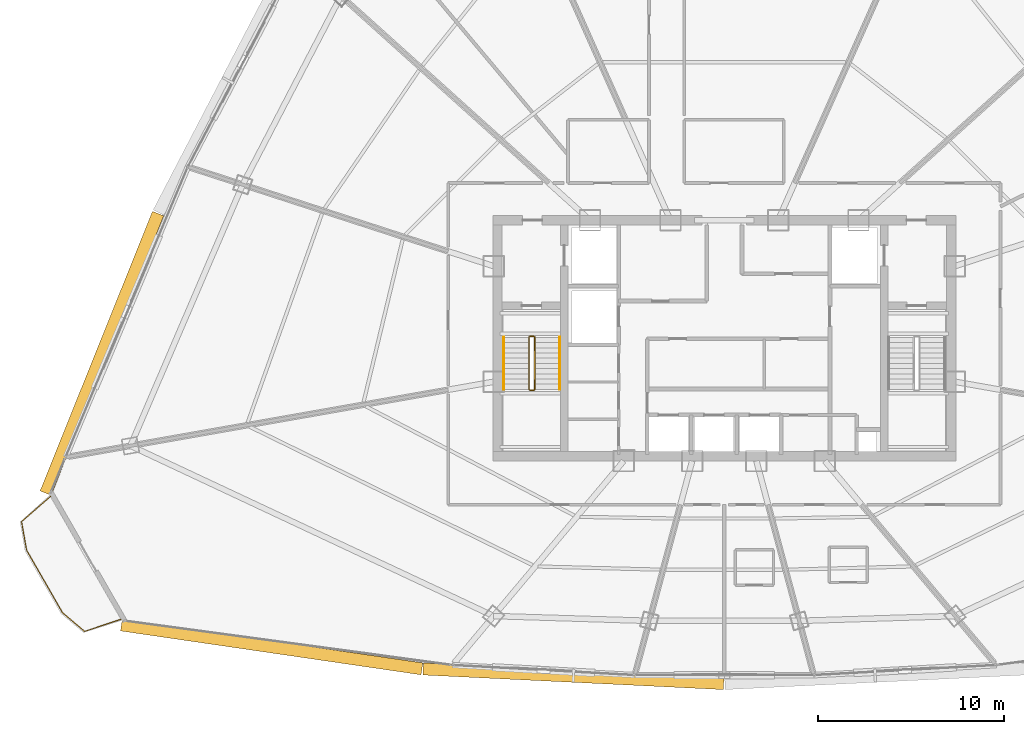
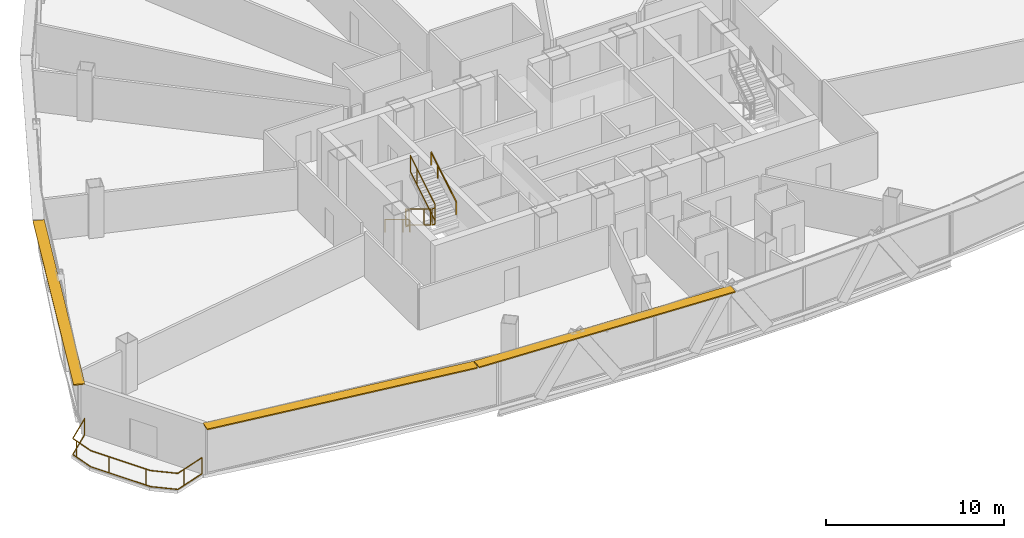
# One storey, part 31 of 34: 7 railings, 3 shading devices.
"""IFC4 building model written with IfcOpenShell, lengths in metres."""

from ifc_helpers import new_model, si_unit, direction, frame, origin, origin_2d, place, context, subcontext, project, spatial, rectangle, extrude, source, transform, mapped, material, layer, layer_set, type_object, element, save


model = new_model("IFC4")

# Units and contexts
model_context = context("Model", 3, precision=1e-05, world=origin(), true_north=direction((0.0, 1.0)))
body_context = subcontext(model_context, "Body", "Model", "MODEL_VIEW")
ifc_project = project(units=[si_unit("LENGTHUNIT", "METRE"), si_unit("AREAUNIT", "SQUARE_METRE"), si_unit("VOLUMEUNIT", "CUBIC_METRE"), si_unit("PLANEANGLEUNIT", "RADIAN"), si_unit("MASSUNIT", "GRAM", prefix="KILO"), si_unit("THERMODYNAMICTEMPERATUREUNIT", "KELVIN"), si_unit("POWERUNIT", "WATT")], contexts=[model_context])

# Site, building, storey
site_placement = place(None, origin())
site = spatial("IfcSite", under=ifc_project, at=site_placement, CompositionType="ELEMENT")
building_placement = place(site_placement, origin())
building = spatial("IfcBuilding", under=site, at=building_placement, Name="Yunzhuo Pagoda Commons", CompositionType="ELEMENT")
storey_placement = place(building_placement, frame((0.0, 0.0, 229.610107421875)))
storey = spatial("IfcBuildingStorey", under=building, at=storey_placement, Name="L57", CompositionType="ELEMENT", Elevation=229.610107421875)

# Railings
ifc_material = material(Name="Anodized aluminium 6063-T6", Category="aluminium")
railing_type_1 = type_object("IfcRailingType", Name="GR-ST1 Stair Well Guardrail 1150", PredefinedType="GUARDRAIL", material=ifc_material)
railing_1_placement = place(storey_placement, frame((37.5, 33.89990234375, 0.16943359375)))
element("IfcRailing", 1, at=railing_1_placement, inside=storey, type_object=railing_type_1, Name="L57 ST1 stair guard 1", PredefinedType="GUARDRAIL", context=body_context, shape_type="SweptSolid", body=[
    extrude(rectangle(XDim=0.048095703125, YDim=0.048095703125, at=origin_2d()), frame((0.0, 0.0, 1.1259765625), z_axis=(0.0, -0.855373106579, 0.518012401918), x_axis=(1.0, 0.0, 0.0)), (0.0, 0.0, 1.0), 3.273193359375),
    extrude(rectangle(XDim=0.048095703125, YDim=0.048095703125, at=origin_2d()), frame((0.0, 0.0, 0.02392578125), z_axis=(0.0, -0.855373106579, 0.518012401918), x_axis=(1.0, 0.0, 0.0)), (0.0, 0.0, 1.0), 3.273193359375),
    extrude(rectangle(XDim=0.0419921875, YDim=0.0419921875, at=origin_2d()), origin(), (0.0, 0.0, 1.0), 1.101806640625),
    extrude(rectangle(XDim=0.0419921875, YDim=0.0419921875, at=origin_2d()), frame((0.0, -2.052978515625, 1.2431640625)), (0.0, 0.0, 1.0), 1.101806640625),
    extrude(rectangle(XDim=0.0419921875, YDim=0.0419921875, at=origin_2d()), frame((0.0, -2.7998046875, 1.695556640625)), (0.0, 0.0, 1.0), 1.101806640625),
])
railing_2_placement = place(storey_placement, frame((37.550048828125, 31.050048828125, 1.864990234375)))
element("IfcRailing", 2, at=railing_2_placement, inside=storey, type_object=railing_type_1, Name="L57 ST1 stair guard 2", PredefinedType="GUARDRAIL", context=body_context, shape_type="SweptSolid", body=[
    extrude(rectangle(XDim=0.048095703125, YDim=0.048095703125, at=origin_2d()), frame((0.0, 0.0, 1.1259765625), z_axis=(1.0, 0.0, 0.0), x_axis=(0.0, 1.0, 0.0)), (0.0, 0.0, 1.0), 0.199951171875),
    extrude(rectangle(XDim=0.048095703125, YDim=0.048095703125, at=origin_2d()), frame((0.0, 0.0, 0.02392578125), z_axis=(1.0, 0.0, 0.0), x_axis=(0.0, 1.0, 0.0)), (0.0, 0.0, 1.0), 0.199951171875),
    extrude(rectangle(XDim=0.0419921875, YDim=0.0419921875, at=origin_2d()), origin(), (0.0, 0.0, 1.0), 1.101806640625),
    extrude(rectangle(XDim=0.0419921875, YDim=0.0419921875, at=origin_2d()), frame((0.199951171875, 0.0, 0.0)), (0.0, 0.0, 1.0), 1.101806640625),
])
railing_3_placement = place(storey_placement, frame((37.800048828125, 31.10009765625, 2.034423828125)))
element("IfcRailing", 3, at=railing_3_placement, inside=storey, type_object=railing_type_1, Name="L57 ST1 stair guard 3", PredefinedType="GUARDRAIL", context=body_context, shape_type="SweptSolid", body=[
    extrude(rectangle(XDim=0.048095703125, YDim=0.048095703125, at=origin_2d()), frame((0.0, 0.0, 1.1259765625), z_axis=(0.0, 0.855373106579, 0.518012401918), x_axis=(-1.0, 0.0, 0.0)), (0.0, 0.0, 1.0), 3.273193359375),
    extrude(rectangle(XDim=0.048095703125, YDim=0.048095703125, at=origin_2d()), frame((0.0, 0.0, 0.02392578125), z_axis=(0.0, 0.855373106579, 0.518012401918), x_axis=(-1.0, 0.0, 0.0)), (0.0, 0.0, 1.0), 3.273193359375),
    extrude(rectangle(XDim=0.0419921875, YDim=0.0419921875, at=origin_2d()), origin(), (0.0, 0.0, 1.0), 1.101806640625),
    extrude(rectangle(XDim=0.0419921875, YDim=0.0419921875, at=origin_2d()), frame((0.0, 2.052978515625, 1.2431640625)), (0.0, 0.0, 1.0), 1.101806640625),
    extrude(rectangle(XDim=0.0419921875, YDim=0.0419921875, at=origin_2d()), frame((0.0, 2.7998046875, 1.695556640625)), (0.0, 0.0, 1.0), 1.101806640625),
])
railing_4_placement = place(storey_placement, frame((37.550048828125, 33.949951171875, 0.0)))
element("IfcRailing", 4, at=railing_4_placement, inside=storey, type_object=railing_type_1, Name="L57 ST1 stair guard 4", PredefinedType="GUARDRAIL", context=body_context, shape_type="SweptSolid", body=[
    extrude(rectangle(XDim=0.048095703125, YDim=0.048095703125, at=origin_2d()), frame((0.0, 0.0, 1.1259765625), z_axis=(1.0, 0.0, 0.0), x_axis=(0.0, 1.0, 0.0)), (0.0, 0.0, 1.0), 0.199951171875),
    extrude(rectangle(XDim=0.048095703125, YDim=0.048095703125, at=origin_2d()), frame((0.0, 0.0, 0.02392578125), z_axis=(1.0, 0.0, 0.0), x_axis=(0.0, 1.0, 0.0)), (0.0, 0.0, 1.0), 0.199951171875),
    extrude(rectangle(XDim=0.0419921875, YDim=0.0419921875, at=origin_2d()), origin(), (0.0, 0.0, 1.0), 1.101806640625),
    extrude(rectangle(XDim=0.0419921875, YDim=0.0419921875, at=origin_2d()), frame((0.199951171875, 0.0, 0.0)), (0.0, 0.0, 1.0), 1.101806640625),
])
railing_type_2 = type_object("IfcRailingType", Name="HR-ST1 Stair Handrail 900", PredefinedType="HANDRAIL", material=ifc_material)
railing_5_placement = place(storey_placement, frame((36.14990234375, 33.89990234375, 0.16943359375)))
element("IfcRailing", 5, at=railing_5_placement, inside=storey, type_object=railing_type_2, Name="L57 ST1 stair handrail 1", PredefinedType="HANDRAIL", context=body_context, shape_type="SweptSolid", body=[
    extrude(rectangle(XDim=0.048095703125, YDim=0.048095703125, at=origin_2d()), frame((0.0, 0.0, 0.8759765625), z_axis=(0.0, -0.855373106579, 0.518012401918), x_axis=(1.0, 0.0, 0.0)), (0.0, 0.0, 1.0), 3.273193359375),
    extrude(rectangle(XDim=0.0419921875, YDim=0.0419921875, at=origin_2d()), origin(), (0.0, 0.0, 1.0), 0.851806640625),
    extrude(rectangle(XDim=0.0419921875, YDim=0.0419921875, at=origin_2d()), frame((0.0, -2.052978515625, 1.2431640625)), (0.0, 0.0, 1.0), 0.851806640625),
    extrude(rectangle(XDim=0.0419921875, YDim=0.0419921875, at=origin_2d()), frame((0.0, -2.7998046875, 1.695556640625)), (0.0, 0.0, 1.0), 0.851806640625),
])
railing_6_placement = place(storey_placement, frame((39.14990234375, 31.10009765625, 2.034423828125)))
element("IfcRailing", 6, at=railing_6_placement, inside=storey, type_object=railing_type_2, Name="L57 ST1 stair handrail 2", PredefinedType="HANDRAIL", context=body_context, shape_type="SweptSolid", body=[
    extrude(rectangle(XDim=0.048095703125, YDim=0.048095703125, at=origin_2d()), frame((0.0, 0.0, 0.8759765625), z_axis=(0.0, 0.855373106579, 0.518012401918), x_axis=(-1.0, 0.0, 0.0)), (0.0, 0.0, 1.0), 3.273193359375),
    extrude(rectangle(XDim=0.0419921875, YDim=0.0419921875, at=origin_2d()), origin(), (0.0, 0.0, 1.0), 0.851806640625),
    extrude(rectangle(XDim=0.0419921875, YDim=0.0419921875, at=origin_2d()), frame((0.0, 2.052978515625, 1.2431640625)), (0.0, 0.0, 1.0), 0.851806640625),
    extrude(rectangle(XDim=0.0419921875, YDim=0.0419921875, at=origin_2d()), frame((0.0, 2.7998046875, 1.695556640625)), (0.0, 0.0, 1.0), 0.851806640625),
])
railing_type_3 = type_object("IfcRailingType", Name="RL-BAL1 Exterior Terrace & Balcony Balustrade 1150", PredefinedType="BALUSTRADE", material=ifc_material)
railing_7_placement = place(storey_placement, frame((11.76171875, 25.34521484375, 0.0)))
element("IfcRailing", 7, at=railing_7_placement, inside=storey, type_object=railing_type_3, Name="L57 corner balcony balustrade V1", PredefinedType="BALUSTRADE", context=body_context, shape_type="SweptSolid", body=[
    extrude(rectangle(XDim=0.048095703125, YDim=0.048095703125, at=origin_2d()), frame((0.0, 0.0, 1.1259765625), z_axis=(-0.753984993137, -0.656891642605, 0.0), x_axis=(0.656891642605, -0.753984993137, 0.0)), (0.0, 0.0, 1.0), 2.059326171875),
    extrude(rectangle(XDim=0.048095703125, YDim=0.048095703125, at=origin_2d()), frame((0.0, 0.0, 0.02392578125), z_axis=(-0.753984993137, -0.656891642605, 0.0), x_axis=(0.656891642605, -0.753984993137, 0.0)), (0.0, 0.0, 1.0), 2.059326171875),
    extrude(rectangle(XDim=0.048095703125, YDim=0.048095703125, at=origin_2d()), frame((-1.552734375, -1.352783203125, 1.1259765625), z_axis=(0.172863553259, -0.984945781226, 0.0), x_axis=(0.984945781226, 0.172863553259, 0.0)), (0.0, 0.0, 1.0), 1.556396484375),
    extrude(rectangle(XDim=0.048095703125, YDim=0.048095703125, at=origin_2d()), frame((-1.552734375, -1.352783203125, 0.02392578125), z_axis=(0.172863553259, -0.984945781226, 0.0), x_axis=(0.984945781226, 0.172863553259, 0.0)), (0.0, 0.0, 1.0), 1.556396484375),
    extrude(rectangle(XDim=0.048095703125, YDim=0.048095703125, at=origin_2d()), frame((-1.28369140625, -2.8857421875, 1.1259765625), z_axis=(0.497903387026, -0.867232504688, 0.0), x_axis=(0.867232504688, 0.497903387026, 0.0)), (0.0, 0.0, 1.0), 3.886962890625),
    extrude(rectangle(XDim=0.048095703125, YDim=0.048095703125, at=origin_2d()), frame((-1.28369140625, -2.8857421875, 0.02392578125), z_axis=(0.497903387026, -0.867232504688, 0.0), x_axis=(0.867232504688, 0.497903387026, 0.0)), (0.0, 0.0, 1.0), 3.886962890625),
    extrude(rectangle(XDim=0.048095703125, YDim=0.048095703125, at=origin_2d()), frame((0.651611328125, -6.256591796875, 1.1259765625), z_axis=(0.763546898029, -0.645752378633, 0.0), x_axis=(0.645752378633, 0.763546898029, 0.0)), (0.0, 0.0, 1.0), 1.556640625),
    extrude(rectangle(XDim=0.048095703125, YDim=0.048095703125, at=origin_2d()), frame((0.651611328125, -6.256591796875, 0.02392578125), z_axis=(0.763546898029, -0.645752378633, 0.0), x_axis=(0.645752378633, 0.763546898029, 0.0)), (0.0, 0.0, 1.0), 1.556640625),
    extrude(rectangle(XDim=0.048095703125, YDim=0.048095703125, at=origin_2d()), frame((1.840087890625, -7.26171875, 1.1259765625), z_axis=(0.947419062147, 0.319995501031, 0.0), x_axis=(-0.319995501031, 0.947419062147, 0.0)), (0.0, 0.0, 1.0), 2.05908203125),
    extrude(rectangle(XDim=0.048095703125, YDim=0.048095703125, at=origin_2d()), frame((1.840087890625, -7.26171875, 0.02392578125), z_axis=(0.947419062147, 0.319995501031, 0.0), x_axis=(-0.319995501031, 0.947419062147, 0.0)), (0.0, 0.0, 1.0), 2.05908203125),
    extrude(rectangle(XDim=0.0419921875, YDim=0.0419921875, at=origin_2d()), origin(), (0.0, 0.0, 1.0), 1.101806640625),
    extrude(rectangle(XDim=0.0419921875, YDim=0.0419921875, at=origin_2d()), frame((-1.493896484375, -1.688232421875, 0.0)), (0.0, 0.0, 1.0), 1.101806640625),
    extrude(rectangle(XDim=0.0419921875, YDim=0.0419921875, at=origin_2d()), frame((-0.694091796875, -3.912841796875, 0.0)), (0.0, 0.0, 1.0), 1.101806640625),
    extrude(rectangle(XDim=0.0419921875, YDim=0.0419921875, at=origin_2d()), frame((0.5009765625, -5.994140625, 0.0)), (0.0, 0.0, 1.0), 1.101806640625),
    extrude(rectangle(XDim=0.0419921875, YDim=0.0419921875, at=origin_2d()), frame((2.3525390625, -7.088623046875, 0.0)), (0.0, 0.0, 1.0), 1.101806640625),
    extrude(rectangle(XDim=0.0419921875, YDim=0.0419921875, at=origin_2d()), frame((3.791015625, -6.602783203125, 0.0)), (0.0, 0.0, 1.0), 1.101806640625),
])

# Shading devices
ifc_layer = layer(ifc_material, 0.080078125)
ifc_layer_set = layer_set([ifc_layer], Name="Anodized aluminium 6063-T6")
shading_device_type = type_object("IfcShadingDeviceType", Name="SH-SUN1 Pagoda Horizontal Sunshade Eave 650", PredefinedType="USERDEFINED", material=ifc_layer_set)
shared_shape_1 = source(origin(), body_context, "Body", "SweptSolid", [
    extrude(rectangle(XDim=16.335693359375, YDim=0.64990234375, at=origin_2d()), origin(), (0.0, 0.0, 1.0), 0.080078125),
])
shading_device_1_placement = place(storey_placement, frame((23.65966796875, 17.252685546875, 3.389892578125), z_axis=(0.0, 0.0, 1.0), x_axis=(0.989510666697, -0.144459823108, 0.0)))
element("IfcShadingDevice", 8, at=shading_device_1_placement, inside=storey, type_object=shading_device_type, Name="L57 horizontal pagoda sunshade eave F1.1", ObjectType="SUNSHADE", PredefinedType="USERDEFINED", context=body_context, shape_type="MappedRepresentation", body=[
    mapped(shared_shape_1, transform((0.0, 0.0, 0.0), scale=1.0)),
])
shared_shape_2 = source(origin(), body_context, "Body", "SweptSolid", [
    extrude(rectangle(XDim=16.182861328125, YDim=0.64990234375, at=origin_2d()), origin(), (0.0, 0.0, 1.0), 0.080078125),
])
shading_device_2_placement = place(storey_placement, frame((39.886474609375, 15.673583984375, 3.389892578125), z_axis=(0.0, 0.0, 1.0), x_axis=(0.998818043775, -0.04860571396, 0.0)))
element("IfcShadingDevice", 9, at=shading_device_2_placement, inside=storey, type_object=shading_device_type, Name="L57 horizontal pagoda sunshade eave F1.2", ObjectType="SUNSHADE", PredefinedType="USERDEFINED", context=body_context, shape_type="MappedRepresentation", body=[
    mapped(shared_shape_2, transform((0.0, 0.0, 0.0), scale=1.0)),
])
shared_shape_3 = source(origin(), body_context, "Body", "SweptSolid", [
    extrude(rectangle(XDim=16.2041015625, YDim=0.64990234375, at=origin_2d()), origin(), (0.0, 0.0, 1.0), 0.080078125),
])
shading_device_3_placement = place(storey_placement, frame((14.528564453125, 33.0400390625, 3.389892578125), z_axis=(0.0, 0.0, 1.0), x_axis=(-0.372987782576, -0.927836253899, 0.0)))
element("IfcShadingDevice", 10, at=shading_device_3_placement, inside=storey, type_object=shading_device_type, Name="L57 horizontal pagoda sunshade eave F3.4", ObjectType="SUNSHADE", PredefinedType="USERDEFINED", context=body_context, shape_type="MappedRepresentation", body=[
    mapped(shared_shape_3, transform((0.0, 0.0, 0.0), scale=1.0)),
])

save(model, "model.ifc")
